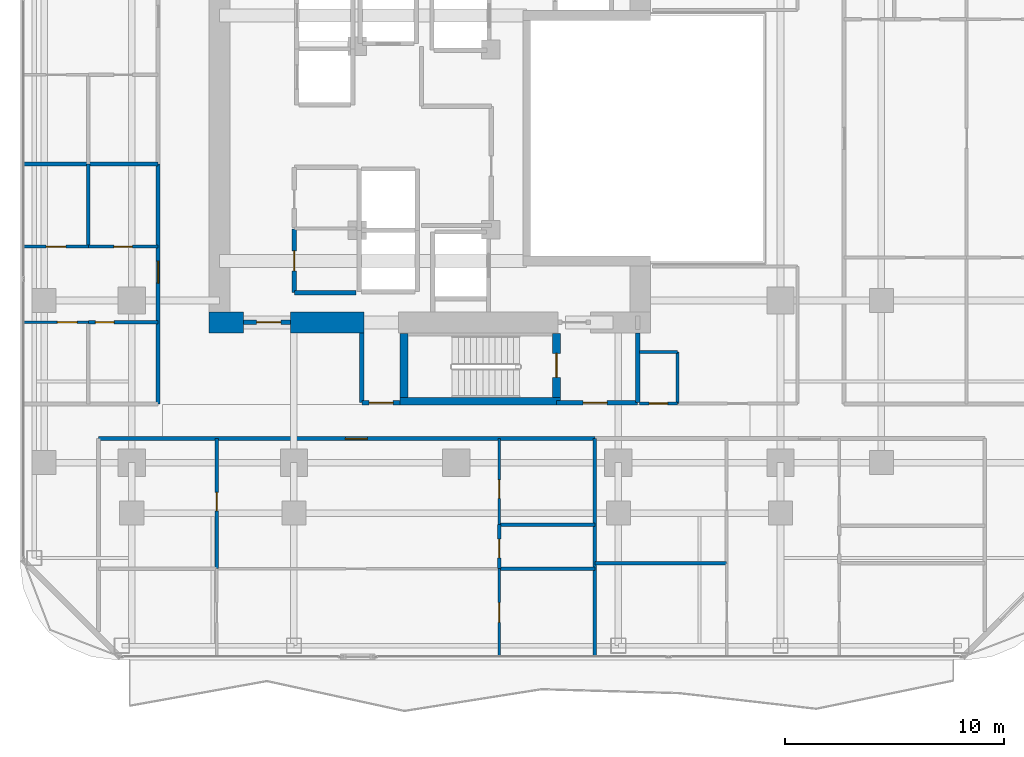
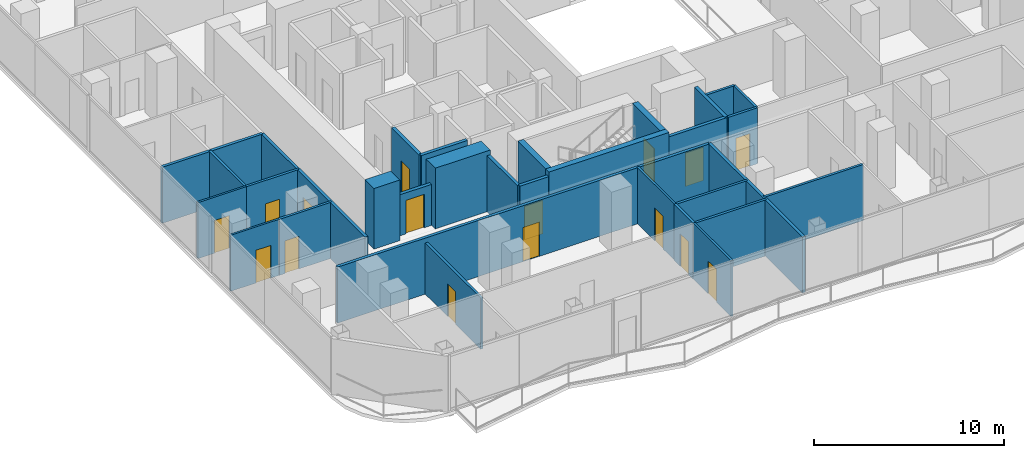
# One storey, part 20 of 27: 31 walls, 16 doors, 16 openings.
"""IFC4 building model written with IfcOpenShell, lengths in metres."""

from ifc_helpers import new_model, si_unit, direction, frame, frame_2d, origin, place, context, subcontext, project, spatial, rectangle, extrude, material, layer, layer_set, type_object, element, fill, save


model = new_model("IFC4")

# Units and contexts
model_context = context("Model", 3, precision=1e-05, world=origin(), true_north=direction((0.0, 1.0)))
body_context = subcontext(model_context, "Body", "Model", "MODEL_VIEW")
ifc_project = project(units=[si_unit("LENGTHUNIT", "METRE"), si_unit("AREAUNIT", "SQUARE_METRE"), si_unit("VOLUMEUNIT", "CUBIC_METRE"), si_unit("PLANEANGLEUNIT", "RADIAN"), si_unit("MASSUNIT", "GRAM", prefix="KILO")], contexts=[model_context])

# Site, building, storey
site_placement = place(None, origin())
site = spatial("IfcSite", under=ifc_project, at=site_placement, CompositionType="ELEMENT")
building_placement = place(site_placement, origin())
building = spatial("IfcBuilding", under=site, at=building_placement, Name="Khorvyn Point Tower", CompositionType="ELEMENT")
storey_placement = place(building_placement, frame((0.0, 0.0, 152.39990234375)))
storey = spatial("IfcBuildingStorey", under=building, at=storey_placement, Name="L38", CompositionType="ELEMENT", Elevation=152.39990234375)

# Wall, opening, door
ifc_material_1 = material(Name="Double acoustic gypsum on twin steel stud", Category="steel")
ifc_layer_1 = layer(ifc_material_1, 0.179931640625)
ifc_layer_set_1 = layer_set([ifc_layer_1], Name="Acoustic Double-Stud Apartment Demising Wall 180")
wall_type_1 = type_object("IfcWallType", Name="Acoustic Double-Stud Apartment Demising Wall 180", PredefinedType="PARTITIONING", material=ifc_layer_set_1)
wall_1_placement = place(storey_placement, frame((-16.320068359375, -13.699951171875, 0.0), z_axis=(0.0, 0.0, 1.0), x_axis=(1.0, 0.0, 0.0)))
wall_1 = element("IfcWall", 1, at=wall_1_placement, inside=storey, type_object=wall_type_1, Name="Wall", PredefinedType="PARTITIONING", context=body_context, shape_type="SweptSolid", body=[
    extrude(rectangle(XDim=22.64599609375, YDim=0.179931640625, at=frame_2d((11.322998046875, 0.0))), origin(), (0.0, 0.0, 1.0), 3.60009765625),
])
opening_1_placement = place(wall_1_placement, frame((11.27099609375, 0.0, 0.0)))
opening_1 = element("IfcOpeningElement", 2, at=opening_1_placement, cuts=wall_1, Name="Opening ID-AP60", PredefinedType="OPENING", context=body_context, shape_type="SweptSolid", body=[
    extrude(rectangle(XDim=1.0, YDim=2.199951171875, at=frame_2d((0.5, 1.10009765625))), frame((0.0, 0.099853515625, 0.0), z_axis=(0.0, -1.0, 0.0), x_axis=(1.0, 0.0, 0.0)), (0.0, 0.0, 1.0), 0.199951171875),
])
ifc_material_2 = material(Name="Engineered hardwood fire-rated leaf", Category="wood")
door_type_1 = type_object("IfcDoorType", Name="Acoustic Solid-Core Timber Apartment Entrance Door 1000x2200", OperationType="NOTDEFINED", PredefinedType="DOOR", material=ifc_material_2)
door_1_placement = place(opening_1_placement, origin())
door_1 = element("IfcDoor", 3, at=door_1_placement, inside=storey, type_object=door_type_1, Name="Door", OperationType="SINGLE_SWING_LEFT", OverallHeight=2.199951171875, OverallWidth=1.0, PredefinedType="DOOR", context=body_context, shape_type="SweptSolid", body=[
    extrude(rectangle(XDim=1.0, YDim=2.199951171875, at=frame_2d((0.5, 1.10009765625))), frame((0.0, 0.02490234375, 0.0), z_axis=(0.0, -1.0, 0.0), x_axis=(1.0, 0.0, 0.0)), (0.0, 0.0, 1.0), 0.050048828125),
])
fill(opening_1, door_1)

wall_2_placement = place(storey_placement, frame((-13.60009765625, -12.1201171875, 0.0), z_axis=(0.0, 0.0, 1.0), x_axis=(0.0, 1.0, 0.0)))
wall_2 = element("IfcWall", 4, at=wall_2_placement, inside=storey, type_object=wall_type_1, Name="Wall", PredefinedType="PARTITIONING", context=body_context, shape_type="SweptSolid", body=[
    extrude(rectangle(XDim=10.9560546875, YDim=0.179931640625, at=frame_2d((5.47802734375, 0.0))), origin(), (0.0, 0.0, 1.0), 3.60009765625),
])
opening_2_placement = place(wall_2_placement, frame((5.51318359375, 0.0, 0.0)))
opening_2 = element("IfcOpeningElement", 5, at=opening_2_placement, cuts=wall_2, Name="Opening ID-AP60", PredefinedType="OPENING", context=body_context, shape_type="SweptSolid", body=[
    extrude(rectangle(XDim=1.0, YDim=2.199951171875, at=frame_2d((0.5, 1.10009765625))), frame((0.0, 0.099853515625, 0.0), z_axis=(0.0, -1.0, 0.0), x_axis=(1.0, 0.0, 0.0)), (0.0, 0.0, 1.0), 0.199951171875),
])
door_2_placement = place(opening_2_placement, origin())
door_2 = element("IfcDoor", 6, at=door_2_placement, inside=storey, type_object=door_type_1, Name="Door", OperationType="SINGLE_SWING_RIGHT", OverallHeight=2.199951171875, OverallWidth=1.0, PredefinedType="DOOR", context=body_context, shape_type="SweptSolid", body=[
    extrude(rectangle(XDim=1.0, YDim=2.199951171875, at=frame_2d((0.5, 1.10009765625))), frame((0.0, 0.02490234375, 0.0), z_axis=(0.0, -1.0, 0.0), x_axis=(1.0, 0.0, 0.0)), (0.0, 0.0, 1.0), 0.050048828125),
])
fill(opening_2, door_2)

# Walls
wall_3_placement = place(storey_placement, frame((6.325927734375, -23.6298828125, 0.0), z_axis=(0.0, 0.0, 1.0), x_axis=(0.0, 1.0, 0.0)))
element("IfcWall", 7, at=wall_3_placement, inside=storey, type_object=wall_type_1, Name="Wall", PredefinedType="PARTITIONING", context=body_context, shape_type="SweptSolid", body=[
    extrude(rectangle(XDim=9.929931640625, YDim=0.179931640625, at=frame_2d((4.96484375, 0.0))), origin(), (0.0, 0.0, 1.0), 3.60009765625),
])
wall_4_placement = place(storey_placement, frame((-19.72998046875, -1.1640625, 0.0), z_axis=(0.0, 0.0, 1.0), x_axis=(1.0, 0.0, 0.0)))
element("IfcWall", 8, at=wall_4_placement, inside=storey, type_object=wall_type_1, Name="Wall", PredefinedType="PARTITIONING", context=body_context, shape_type="SweptSolid", body=[
    extrude(rectangle(XDim=6.1298828125, YDim=0.179931640625, at=frame_2d((3.06494140625, 0.0))), origin(), (0.0, 0.0, 1.0), 3.60009765625),
])

# Wall, opening, door
ifc_material_3 = material(Name="Concrete C40/50", Category="concrete")
ifc_layer_2 = layer(ifc_material_3, 0.199951171875)
ifc_layer_set_2 = layer_set([ifc_layer_2], Name="Concrete C40/50 Fire-Lobby Compartment Wall 200")
wall_type_2 = type_object("IfcWallType", Name="Concrete C40/50 Fire-Lobby Compartment Wall 200", PredefinedType="SOLIDWALL", material=ifc_layer_set_2)
wall_5_placement = place(storey_placement, frame((4.580078125, -12.06005859375, 0.0), z_axis=(0.0, 0.0, 1.0), x_axis=(1.0, 0.0, 0.0)))
wall_5 = element("IfcWall", 9, at=wall_5_placement, inside=storey, type_object=wall_type_2, Name="Wall", PredefinedType="SOLIDWALL", context=body_context, shape_type="SweptSolid", body=[
    extrude(rectangle(XDim=3.699951171875, YDim=0.199951171875, at=frame_2d((1.85009765625, 0.0))), origin(), (0.0, 0.0, 1.0), 3.60009765625),
])
opening_3_placement = place(wall_5_placement, frame((1.21240234375, 0.0, 0.0)))
opening_3 = element("IfcOpeningElement", 10, at=opening_3_placement, cuts=wall_5, Name="Opening ID-FL90", PredefinedType="OPENING", context=body_context, shape_type="SweptSolid", body=[
    extrude(rectangle(XDim=1.10009765625, YDim=2.14990234375, at=frame_2d((0.550048828125, 1.074951171875))), frame((0.0, 0.10986328125, 0.0), z_axis=(0.0, -1.0, 0.0), x_axis=(1.0, 0.0, 0.0)), (0.0, 0.0, 1.0), 0.219970703125),
])
ifc_material_4 = material(Name="Galvanised powder-coated steel", Category="steel")
door_type_2 = type_object("IfcDoorType", Name="Fire-Rated Steel Lobby and Stair Door 1100x2150", OperationType="NOTDEFINED", PredefinedType="DOOR", material=ifc_material_4)
door_3_placement = place(opening_3_placement, origin())
door_3 = element("IfcDoor", 11, at=door_3_placement, inside=storey, type_object=door_type_2, Name="Door", OperationType="SINGLE_SWING_LEFT", OverallHeight=2.14990234375, OverallWidth=1.10009765625, PredefinedType="DOOR", context=body_context, shape_type="SweptSolid", body=[
    extrude(rectangle(XDim=1.10009765625, YDim=2.14990234375, at=frame_2d((0.550048828125, 1.074951171875))), frame((0.0, 0.02490234375, 0.0), z_axis=(0.0, -1.0, 0.0), x_axis=(1.0, 0.0, 0.0)), (0.0, 0.0, 1.0), 0.050048828125),
])
fill(opening_3, door_3)

wall_6_placement = place(storey_placement, frame((-9.699951171875, -8.39990234375, 0.0), z_axis=(0.0, 0.0, 1.0), x_axis=(1.0, 0.0, 0.0)))
wall_6 = element("IfcWall", 12, at=wall_6_placement, inside=storey, type_object=wall_type_2, Name="Wall", PredefinedType="SOLIDWALL", context=body_context, shape_type="SweptSolid", body=[
    extrude(rectangle(XDim=2.14990234375, YDim=0.199951171875, at=frame_2d((1.074951171875, 0.0))), origin(), (0.0, 0.0, 1.0), 2.64013671875),
])
opening_4_placement = place(wall_6_placement, frame((0.597900390625, 0.0, 0.0)))
opening_4 = element("IfcOpeningElement", 13, at=opening_4_placement, cuts=wall_6, Name="Opening ID-FL90", PredefinedType="OPENING", context=body_context, shape_type="SweptSolid", body=[
    extrude(rectangle(XDim=1.10009765625, YDim=2.14990234375, at=frame_2d((0.550048828125, 1.074951171875))), frame((0.0, 0.10986328125, 0.0), z_axis=(0.0, -1.0, 0.0), x_axis=(1.0, 0.0, 0.0)), (0.0, 0.0, 1.0), 0.219970703125),
])
door_4_placement = place(opening_4_placement, origin())
door_4 = element("IfcDoor", 14, at=door_4_placement, inside=storey, type_object=door_type_2, Name="Door", OperationType="SINGLE_SWING_RIGHT", OverallHeight=2.14990234375, OverallWidth=1.10009765625, PredefinedType="DOOR", context=body_context, shape_type="SweptSolid", body=[
    extrude(rectangle(XDim=1.10009765625, YDim=2.14990234375, at=frame_2d((0.550048828125, 1.074951171875))), frame((0.0, 0.02490234375, 0.0), z_axis=(0.0, -1.0, 0.0), x_axis=(1.0, 0.0, 0.0)), (0.0, 0.0, 1.0), 0.050048828125),
])
fill(opening_4, door_4)

wall_7_placement = place(storey_placement, frame((-4.300048828125, -12.06005859375, 0.0), z_axis=(0.0, 0.0, 1.0), x_axis=(1.0, 0.0, 0.0)))
wall_7 = element("IfcWall", 15, at=wall_7_placement, inside=storey, type_object=wall_type_2, Name="Wall", PredefinedType="SOLIDWALL", context=body_context, shape_type="SweptSolid", body=[
    extrude(rectangle(XDim=1.75, YDim=0.199951171875, at=frame_2d((0.875, 0.0))), origin(), (0.0, 0.0, 1.0), 3.60009765625),
])
opening_5_placement = place(wall_7_placement, frame((0.324951171875, 0.0, 0.0)))
opening_5 = element("IfcOpeningElement", 16, at=opening_5_placement, cuts=wall_7, Name="Opening ID-FL90", PredefinedType="OPENING", context=body_context, shape_type="SweptSolid", body=[
    extrude(rectangle(XDim=1.10009765625, YDim=2.14990234375, at=frame_2d((0.550048828125, 1.074951171875))), frame((0.0, 0.10986328125, 0.0), z_axis=(0.0, -1.0, 0.0), x_axis=(1.0, 0.0, 0.0)), (0.0, 0.0, 1.0), 0.219970703125),
])
door_5_placement = place(opening_5_placement, origin())
door_5 = element("IfcDoor", 17, at=door_5_placement, inside=storey, type_object=door_type_2, Name="Door", OperationType="SINGLE_SWING_RIGHT", OverallHeight=2.14990234375, OverallWidth=1.10009765625, PredefinedType="DOOR", context=body_context, shape_type="SweptSolid", body=[
    extrude(rectangle(XDim=1.10009765625, YDim=2.14990234375, at=frame_2d((0.550048828125, 1.074951171875))), frame((0.0, 0.02490234375, 0.0), z_axis=(0.0, -1.0, 0.0), x_axis=(1.0, 0.0, 0.0)), (0.0, 0.0, 1.0), 0.050048828125),
])
fill(opening_5, door_5)

wall_8_placement = place(storey_placement, frame((-7.3798828125, -7.0400390625, 0.0), z_axis=(0.0, 0.0, 1.0), x_axis=(0.0, 1.0, 0.0)))
wall_8 = element("IfcWall", 18, at=wall_8_placement, inside=storey, type_object=wall_type_2, Name="Wall", PredefinedType="SOLIDWALL", context=body_context, shape_type="SweptSolid", body=[
    extrude(rectangle(XDim=2.900146484375, YDim=0.199951171875, at=frame_2d((1.4501953125, 0.0))), origin(), (0.0, 0.0, 1.0), 3.60009765625),
])
opening_6_placement = place(wall_8_placement, frame((0.989990234375, 0.0, 0.0)))
opening_6 = element("IfcOpeningElement", 19, at=opening_6_placement, cuts=wall_8, Name="Opening ID-RS60", PredefinedType="OPENING", context=body_context, shape_type="SweptSolid", body=[
    extrude(rectangle(XDim=0.919921875, YDim=2.10009765625, at=frame_2d((0.4599609375, 1.050048828125))), frame((0.0, 0.10986328125, 0.0), z_axis=(0.0, -1.0, 0.0), x_axis=(1.0, 0.0, 0.0)), (0.0, 0.0, 1.0), 0.219970703125),
])
door_type_3 = type_object("IfcDoorType", Name="Fire-Rated Riser and Store Steel Door 920x2100", OperationType="NOTDEFINED", PredefinedType="DOOR", material=ifc_material_4)
door_6_placement = place(opening_6_placement, origin())
door_6 = element("IfcDoor", 20, at=door_6_placement, inside=storey, type_object=door_type_3, Name="Door", OperationType="SINGLE_SWING_RIGHT", OverallHeight=2.10009765625, OverallWidth=0.919921875, PredefinedType="DOOR", context=body_context, shape_type="SweptSolid", body=[
    extrude(rectangle(XDim=0.919921875, YDim=2.10009765625, at=frame_2d((0.4599609375, 1.050048828125))), frame((0.0, 0.02490234375, 0.0), z_axis=(0.0, -1.0, 0.0), x_axis=(1.0, 0.0, 0.0)), (0.0, 0.0, 1.0), 0.050048828125),
])
fill(opening_6, door_6)

# Walls
for number, where, z_axis, x_axis, name in (
    (21, (8.280029296875, -12.06005859375, 0.0), (0.0, 0.0, 1.0), (0.0, 1.0, 0.0), "Wall"),
    (22, (-4.300048828125, -12.06005859375, 0.0), (0.0, 0.0, 1.0), (0.0, 1.0, 0.0), "Wall"),
):
    element("IfcWall", number, at=place(storey_placement, frame(where, z_axis=z_axis, x_axis=x_axis)), inside=storey, type_object=wall_type_2, Name=name, PredefinedType="SOLIDWALL", context=body_context, shape_type="SweptSolid", body=[
        extrude(rectangle(XDim=3.18505859375, YDim=0.199951171875, at=frame_2d((1.592529296875, 0.0))), origin(), (0.0, 0.0, 1.0), 3.60009765625),
    ])
wall_9_placement = place(storey_placement, frame((-7.3798828125, -7.0400390625, 0.0), z_axis=(0.0, 0.0, 1.0), x_axis=(1.0, 0.0, 0.0)))
element("IfcWall", 23, at=wall_9_placement, inside=storey, type_object=wall_type_2, Name="Wall", PredefinedType="SOLIDWALL", context=body_context, shape_type="SweptSolid", body=[
    extrude(rectangle(XDim=2.7998046875, YDim=0.199951171875, at=frame_2d((1.39990234375, 0.0))), origin(), (0.0, 0.0, 1.0), 3.60009765625),
])
ifc_layer_3 = layer(ifc_material_3, 0.35009765625)
ifc_layer_set_3 = layer_set([ifc_layer_3], Name="Concrete C40/50 Stair Shaft Structural Wall 350")
wall_type_3 = type_object("IfcWallType", Name="Concrete C40/50 Stair Shaft Structural Wall 350", PredefinedType="SHEAR", material=ifc_layer_set_3)
wall_10_placement = place(storey_placement, frame((-2.554931640625, -12.0, 0.0), z_axis=(0.0, 0.0, 1.0), x_axis=(1.0, 0.0, 0.0)))
element("IfcWall", 24, at=wall_10_placement, inside=storey, type_object=wall_type_3, Name="L38 ST-01 South Shaft Wall", PredefinedType="SHEAR", context=body_context, shape_type="SweptSolid", body=[
    extrude(rectangle(XDim=7.309814453125, YDim=0.35009765625, at=frame_2d((3.65478515625, 0.0))), origin(), (0.0, 0.0, 1.0), 3.900146484375),
])
wall_11_placement = place(storey_placement, frame((-2.3798828125, -11.824951171875, 0.0), z_axis=(0.0, 0.0, 1.0), x_axis=(0.0, 1.0, 0.0)))
element("IfcWall", 25, at=wall_11_placement, inside=storey, type_object=wall_type_3, Name="L38 ST-01 West Shaft Wall", PredefinedType="SHEAR", context=body_context, shape_type="SweptSolid", body=[
    extrude(rectangle(XDim=2.925048828125, YDim=0.35009765625, at=frame_2d((1.46240234375, 0.0))), origin(), (0.0, 0.0, 1.0), 3.900146484375),
])

# Wall, opening, door
wall_12_placement = place(storey_placement, frame((4.580078125, -8.89990234375, 0.0), z_axis=(0.0, 0.0, 1.0), x_axis=(0.0, -1.0, 0.0)))
wall_12 = element("IfcWall", 26, at=wall_12_placement, inside=storey, type_object=wall_type_3, Name="L38 ST-01 East Landing Door Wall", PredefinedType="SHEAR", context=body_context, shape_type="SweptSolid", body=[
    extrude(rectangle(XDim=2.925048828125, YDim=0.35009765625, at=frame_2d((1.46240234375, 0.0))), origin(), (0.0, 0.0, 1.0), 3.900146484375),
])
opening_7_placement = place(wall_12_placement, frame((0.91259765625, 0.0, 0.0)))
opening_7 = element("IfcOpeningElement", 27, at=opening_7_placement, cuts=wall_12, Name="Opening ID-FL90", PredefinedType="OPENING", context=body_context, shape_type="SweptSolid", body=[
    extrude(rectangle(XDim=1.10009765625, YDim=2.14990234375, at=frame_2d((0.550048828125, 1.074951171875))), frame((0.0, 0.18505859375, 0.0), z_axis=(0.0, -1.0, 0.0), x_axis=(1.0, 0.0, 0.0)), (0.0, 0.0, 1.0), 0.3701171875),
])
door_7_placement = place(opening_7_placement, origin())
door_7 = element("IfcDoor", 28, at=door_7_placement, inside=storey, type_object=door_type_2, Name="L38 ST-01 Smokeproof Landing Door", OperationType="SINGLE_SWING_RIGHT", OverallHeight=2.14990234375, OverallWidth=1.10009765625, PredefinedType="DOOR", context=body_context, shape_type="SweptSolid", body=[
    extrude(rectangle(XDim=1.10009765625, YDim=2.14990234375, at=frame_2d((0.550048828125, 1.074951171875))), frame((0.0, 0.02490234375, 0.0), z_axis=(0.0, -1.0, 0.0), x_axis=(1.0, 0.0, 0.0)), (0.0, 0.0, 1.0), 0.050048828125),
])
fill(opening_7, door_7)

# Walls
ifc_material_5 = material(Name="Concrete C50/60", Category="concrete")
ifc_layer_4 = layer(ifc_material_5, 0.949951171875)
ifc_layer_set_4 = layer_set([ifc_layer_4], Name="Concrete C50/60 Core Shear Wall 950")
wall_type_4 = type_object("IfcWallType", Name="Concrete C50/60 Core Shear Wall 950", PredefinedType="SHEAR", material=ifc_layer_set_4)
wall_13_placement = place(storey_placement, frame((-11.27490234375, -8.39990234375, 0.0), z_axis=(0.0, 0.0, 1.0), x_axis=(1.0, 0.0, 0.0)))
element("IfcWall", 29, at=wall_13_placement, inside=storey, type_object=wall_type_4, Name="Wall", PredefinedType="SHEAR", context=body_context, shape_type="SweptSolid", body=[
    extrude(rectangle(XDim=1.574951171875, YDim=0.949951171875, at=frame_2d((0.78759765625, 0.0))), origin(), (0.0, 0.0, 1.0), 3.900146484375),
])
wall_14_placement = place(storey_placement, frame((-7.550048828125, -8.39990234375, 0.0), z_axis=(0.0, 0.0, 1.0), x_axis=(1.0, 0.0, 0.0)))
element("IfcWall", 30, at=wall_14_placement, inside=storey, type_object=wall_type_4, Name="Wall", PredefinedType="SHEAR", context=body_context, shape_type="SweptSolid", body=[
    extrude(rectangle(XDim=3.35009765625, YDim=0.949951171875, at=frame_2d((1.675048828125, 0.0))), origin(), (0.0, 0.0, 1.0), 3.900146484375),
])

# Wall, opening, door
ifc_material_6 = material(Name="Gypsum plasterboard on steel stud", Category="steel")
ifc_layer_5 = layer(ifc_material_6, 0.1201171875)
ifc_layer_set_5 = layer_set([ifc_layer_5], Name="Gypsum Acoustic Stud Room Partition Wall 120")
wall_type_5 = type_object("IfcWallType", Name="Gypsum Acoustic Stud Room Partition Wall 120", PredefinedType="PARTITIONING", material=ifc_layer_set_5)
wall_15_placement = place(storey_placement, frame((1.964111328125, -17.6279296875, 0.0), z_axis=(0.0, 0.0, 1.0), x_axis=(0.0, 1.0, 0.0)))
wall_15 = element("IfcWall", 31, at=wall_15_placement, inside=storey, type_object=wall_type_5, Name="Wall", PredefinedType="PARTITIONING", context=body_context, shape_type="SweptSolid", body=[
    extrude(rectangle(XDim=3.927978515625, YDim=0.1201171875, at=frame_2d((1.9638671875, 0.0))), origin(), (0.0, 0.0, 1.0), 3.60009765625),
])
opening_8_placement = place(wall_15_placement, frame((1.1943359375, 0.0, 0.0)))
opening_8 = element("IfcOpeningElement", 32, at=opening_8_placement, cuts=wall_15, Name="Opening ID-WC85", PredefinedType="OPENING", context=body_context, shape_type="SweptSolid", body=[
    extrude(rectangle(XDim=0.85009765625, YDim=2.10009765625, at=frame_2d((0.425048828125, 1.050048828125))), frame((0.0, 0.070068359375, 0.0), z_axis=(0.0, -1.0, 0.0), x_axis=(1.0, 0.0, 0.0)), (0.0, 0.0, 1.0), 0.14013671875),
])
ifc_material_7 = material(Name="High-pressure laminate on moisture-resistant core", Category="wood")
door_type_4 = type_object("IfcDoorType", Name="Moisture-Resistant Accessible Washroom Door 850x2100", OperationType="NOTDEFINED", PredefinedType="DOOR", material=ifc_material_7)
door_8_placement = place(opening_8_placement, origin())
door_8 = element("IfcDoor", 33, at=door_8_placement, inside=storey, type_object=door_type_4, Name="Door", OperationType="SINGLE_SWING_RIGHT", OverallHeight=2.10009765625, OverallWidth=0.85009765625, PredefinedType="DOOR", context=body_context, shape_type="SweptSolid", body=[
    extrude(rectangle(XDim=0.85009765625, YDim=2.10009765625, at=frame_2d((0.425048828125, 1.050048828125))), frame((0.0, 0.02490234375, 0.0), z_axis=(0.0, -1.0, 0.0), x_axis=(1.0, 0.0, 0.0)), (0.0, 0.0, 1.0), 0.050048828125),
])
fill(opening_8, door_8)

wall_16_placement = place(storey_placement, frame((1.964111328125, -23.6298828125, 0.0), z_axis=(0.0, 0.0, 1.0), x_axis=(0.0, 1.0, 0.0)))
wall_16 = element("IfcWall", 34, at=wall_16_placement, inside=storey, type_object=wall_type_5, Name="Wall", PredefinedType="PARTITIONING", context=body_context, shape_type="SweptSolid", body=[
    extrude(rectangle(XDim=3.995849609375, YDim=0.1201171875, at=frame_2d((1.998046875, 0.0))), origin(), (0.0, 0.0, 1.0), 3.60009765625),
])
opening_9_placement = place(wall_16_placement, frame((1.548095703125, 0.0, 0.0)))
opening_9 = element("IfcOpeningElement", 35, at=opening_9_placement, cuts=wall_16, Name="Opening ID-RM90", PredefinedType="OPENING", context=body_context, shape_type="SweptSolid", body=[
    extrude(rectangle(XDim=0.89990234375, YDim=2.10009765625, at=frame_2d((0.449951171875, 1.050048828125))), frame((0.0, 0.070068359375, 0.0), z_axis=(0.0, -1.0, 0.0), x_axis=(1.0, 0.0, 0.0)), (0.0, 0.0, 1.0), 0.14013671875),
])
ifc_material_8 = material(Name="Engineered oak veneer timber", Category="wood")
door_type_5 = type_object("IfcDoorType", Name="Flush Engineered Timber Room Door 900x2100", OperationType="NOTDEFINED", PredefinedType="DOOR", material=ifc_material_8)
door_9_placement = place(opening_9_placement, origin())
door_9 = element("IfcDoor", 36, at=door_9_placement, inside=storey, type_object=door_type_5, Name="Door", OperationType="SINGLE_SWING_LEFT", OverallHeight=2.10009765625, OverallWidth=0.89990234375, PredefinedType="DOOR", context=body_context, shape_type="SweptSolid", body=[
    extrude(rectangle(XDim=0.89990234375, YDim=2.10009765625, at=frame_2d((0.449951171875, 1.050048828125))), frame((0.0, 0.02490234375, 0.0), z_axis=(0.0, -1.0, 0.0), x_axis=(1.0, 0.0, 0.0)), (0.0, 0.0, 1.0), 0.050048828125),
])
fill(opening_9, door_9)

wall_17_placement = place(storey_placement, frame((-19.72998046875, -8.39404296875, 0.0), z_axis=(0.0, 0.0, 1.0), x_axis=(1.0, 0.0, 0.0)))
wall_17 = element("IfcWall", 37, at=wall_17_placement, inside=storey, type_object=wall_type_5, Name="Wall", PredefinedType="PARTITIONING", context=body_context, shape_type="SweptSolid", body=[
    extrude(rectangle(XDim=2.946044921875, YDim=0.1201171875, at=frame_2d((1.47314453125, 0.0))), origin(), (0.0, 0.0, 1.0), 3.60009765625),
])
opening_10_placement = place(wall_17_placement, frame((1.540771484375, 0.0, 0.0)))
opening_10 = element("IfcOpeningElement", 38, at=opening_10_placement, cuts=wall_17, Name="Opening ID-RM90", PredefinedType="OPENING", context=body_context, shape_type="SweptSolid", body=[
    extrude(rectangle(XDim=0.89990234375, YDim=2.10009765625, at=frame_2d((0.449951171875, 1.050048828125))), frame((0.0, 0.070068359375, 0.0), z_axis=(0.0, -1.0, 0.0), x_axis=(1.0, 0.0, 0.0)), (0.0, 0.0, 1.0), 0.14013671875),
])
door_10_placement = place(opening_10_placement, origin())
door_10 = element("IfcDoor", 39, at=door_10_placement, inside=storey, type_object=door_type_5, Name="Door", OperationType="SINGLE_SWING_LEFT", OverallHeight=2.10009765625, OverallWidth=0.89990234375, PredefinedType="DOOR", context=body_context, shape_type="SweptSolid", body=[
    extrude(rectangle(XDim=0.89990234375, YDim=2.10009765625, at=frame_2d((0.449951171875, 1.050048828125))), frame((0.0, 0.02490234375, 0.0), z_axis=(0.0, -1.0, 0.0), x_axis=(1.0, 0.0, 0.0)), (0.0, 0.0, 1.0), 0.050048828125),
])
fill(opening_10, door_10)

wall_18_placement = place(storey_placement, frame((-19.72998046875, -4.93896484375, 0.0), z_axis=(0.0, 0.0, 1.0), x_axis=(1.0, 0.0, 0.0)))
wall_18 = element("IfcWall", 40, at=wall_18_placement, inside=storey, type_object=wall_type_5, Name="Wall", PredefinedType="PARTITIONING", context=body_context, shape_type="SweptSolid", body=[
    extrude(rectangle(XDim=2.946044921875, YDim=0.1201171875, at=frame_2d((1.47314453125, 0.0))), origin(), (0.0, 0.0, 1.0), 3.60009765625),
])
opening_11_placement = place(wall_18_placement, frame((1.02294921875, 0.0, 0.0)))
opening_11 = element("IfcOpeningElement", 41, at=opening_11_placement, cuts=wall_18, Name="Opening ID-RM90", PredefinedType="OPENING", context=body_context, shape_type="SweptSolid", body=[
    extrude(rectangle(XDim=0.89990234375, YDim=2.10009765625, at=frame_2d((0.449951171875, 1.050048828125))), frame((0.0, 0.070068359375, 0.0), z_axis=(0.0, -1.0, 0.0), x_axis=(1.0, 0.0, 0.0)), (0.0, 0.0, 1.0), 0.14013671875),
])
door_11_placement = place(opening_11_placement, origin())
door_11 = element("IfcDoor", 42, at=door_11_placement, inside=storey, type_object=door_type_5, Name="Door", OperationType="SINGLE_SWING_RIGHT", OverallHeight=2.10009765625, OverallWidth=0.89990234375, PredefinedType="DOOR", context=body_context, shape_type="SweptSolid", body=[
    extrude(rectangle(XDim=0.89990234375, YDim=2.10009765625, at=frame_2d((0.449951171875, 1.050048828125))), frame((0.0, 0.02490234375, 0.0), z_axis=(0.0, -1.0, 0.0), x_axis=(1.0, 0.0, 0.0)), (0.0, 0.0, 1.0), 0.050048828125),
])
fill(opening_11, door_11)

ifc_material_9 = material(Name="Moisture-resistant gypsum and cement board", Category="gypsum")
ifc_layer_6 = layer(ifc_material_9, 0.14990234375)
ifc_layer_set_6 = layer_set([ifc_layer_6], Name="Moisture-Resistant Wet-Room Partition Wall 150")
wall_type_6 = type_object("IfcWallType", Name="Moisture-Resistant Wet-Room Partition Wall 150", PredefinedType="PARTITIONING", material=ifc_layer_set_6)
wall_19_placement = place(storey_placement, frame((8.360107421875, -12.10009765625, 0.0), z_axis=(0.0, 0.0, 1.0), x_axis=(1.0, 0.0, 0.0)))
wall_19 = element("IfcWall", 43, at=wall_19_placement, inside=storey, type_object=wall_type_6, Name="Wall", PredefinedType="PARTITIONING", context=body_context, shape_type="SweptSolid", body=[
    extrude(rectangle(XDim=1.739990234375, YDim=0.14990234375, at=frame_2d((0.8701171875, 0.0))), origin(), (0.0, 0.0, 1.0), 3.60009765625),
])
opening_12_placement = place(wall_19_placement, frame((0.445068359375, 0.0, 0.0)))
opening_12 = element("IfcOpeningElement", 44, at=opening_12_placement, cuts=wall_19, Name="Opening ID-WC85", PredefinedType="OPENING", context=body_context, shape_type="SweptSolid", body=[
    extrude(rectangle(XDim=0.85009765625, YDim=2.10009765625, at=frame_2d((0.425048828125, 1.050048828125))), frame((0.0, 0.0849609375, 0.0), z_axis=(0.0, -1.0, 0.0), x_axis=(1.0, 0.0, 0.0)), (0.0, 0.0, 1.0), 0.169921875),
])
door_12_placement = place(opening_12_placement, origin())
door_12 = element("IfcDoor", 45, at=door_12_placement, inside=storey, type_object=door_type_4, Name="Door", OperationType="SINGLE_SWING_RIGHT", OverallHeight=2.10009765625, OverallWidth=0.85009765625, PredefinedType="DOOR", context=body_context, shape_type="SweptSolid", body=[
    extrude(rectangle(XDim=0.85009765625, YDim=2.10009765625, at=frame_2d((0.425048828125, 1.050048828125))), frame((0.0, 0.02490234375, 0.0), z_axis=(0.0, -1.0, 0.0), x_axis=(1.0, 0.0, 0.0)), (0.0, 0.0, 1.0), 0.050048828125),
])
fill(opening_12, door_12)

wall_20_placement = place(storey_placement, frame((-10.926025390625, -19.634033203125, 0.0), z_axis=(0.0, 0.0, 1.0), x_axis=(0.0, 1.0, 0.0)))
wall_20 = element("IfcWall", 46, at=wall_20_placement, inside=storey, type_object=wall_type_6, Name="Wall", PredefinedType="PARTITIONING", context=body_context, shape_type="SweptSolid", body=[
    extrude(rectangle(XDim=5.93408203125, YDim=0.14990234375, at=frame_2d((2.967041015625, 0.0))), origin(), (0.0, 0.0, 1.0), 3.2900390625),
])
opening_13_placement = place(wall_20_placement, frame((2.630126953125, 0.0, 0.0)))
opening_13 = element("IfcOpeningElement", 47, at=opening_13_placement, cuts=wall_20, Name="Opening ID-WC85", PredefinedType="OPENING", context=body_context, shape_type="SweptSolid", body=[
    extrude(rectangle(XDim=0.85009765625, YDim=2.10009765625, at=frame_2d((0.425048828125, 1.050048828125))), frame((0.0, 0.0849609375, 0.0), z_axis=(0.0, -1.0, 0.0), x_axis=(1.0, 0.0, 0.0)), (0.0, 0.0, 1.0), 0.169921875),
])
door_13_placement = place(opening_13_placement, origin())
door_13 = element("IfcDoor", 48, at=door_13_placement, inside=storey, type_object=door_type_4, Name="Door", OperationType="SINGLE_SWING_LEFT", OverallHeight=2.10009765625, OverallWidth=0.85009765625, PredefinedType="DOOR", context=body_context, shape_type="SweptSolid", body=[
    extrude(rectangle(XDim=0.85009765625, YDim=2.10009765625, at=frame_2d((0.425048828125, 1.050048828125))), frame((0.0, 0.02490234375, 0.0), z_axis=(0.0, -1.0, 0.0), x_axis=(1.0, 0.0, 0.0)), (0.0, 0.0, 1.0), 0.050048828125),
])
fill(opening_13, door_13)

wall_21_placement = place(storey_placement, frame((1.964111328125, -19.634033203125, 0.0), z_axis=(0.0, 0.0, 1.0), x_axis=(0.0, 1.0, 0.0)))
wall_21 = element("IfcWall", 49, at=wall_21_placement, inside=storey, type_object=wall_type_6, Name="Wall", PredefinedType="PARTITIONING", context=body_context, shape_type="SweptSolid", body=[
    extrude(rectangle(XDim=2.006103515625, YDim=0.14990234375, at=frame_2d((1.0029296875, 0.0))), origin(), (0.0, 0.0, 1.0), 3.60009765625),
])
opening_14_placement = place(wall_21_placement, frame((0.494384765625, 0.0, 0.0)))
opening_14 = element("IfcOpeningElement", 50, at=opening_14_placement, cuts=wall_21, Name="Opening ID-WC85", PredefinedType="OPENING", context=body_context, shape_type="SweptSolid", body=[
    extrude(rectangle(XDim=0.85009765625, YDim=2.10009765625, at=frame_2d((0.425048828125, 1.050048828125))), frame((0.0, 0.0849609375, 0.0), z_axis=(0.0, -1.0, 0.0), x_axis=(1.0, 0.0, 0.0)), (0.0, 0.0, 1.0), 0.169921875),
])
door_14_placement = place(opening_14_placement, origin())
door_14 = element("IfcDoor", 51, at=door_14_placement, inside=storey, type_object=door_type_4, Name="Door", OperationType="SINGLE_SWING_LEFT", OverallHeight=2.10009765625, OverallWidth=0.85009765625, PredefinedType="DOOR", context=body_context, shape_type="SweptSolid", body=[
    extrude(rectangle(XDim=0.85009765625, YDim=2.10009765625, at=frame_2d((0.425048828125, 1.050048828125))), frame((0.0, 0.02490234375, 0.0), z_axis=(0.0, -1.0, 0.0), x_axis=(1.0, 0.0, 0.0)), (0.0, 0.0, 1.0), 0.050048828125),
])
fill(opening_14, door_14)

wall_22_placement = place(storey_placement, frame((-16.783935546875, -4.93896484375, 0.0), z_axis=(0.0, 0.0, 1.0), x_axis=(1.0, 0.0, 0.0)))
wall_22 = element("IfcWall", 52, at=wall_22_placement, inside=storey, type_object=wall_type_6, Name="Wall", PredefinedType="PARTITIONING", context=body_context, shape_type="SweptSolid", body=[
    extrude(rectangle(XDim=3.183837890625, YDim=0.14990234375, at=frame_2d((1.591796875, 0.0))), origin(), (0.0, 0.0, 1.0), 3.60009765625),
])
opening_15_placement = place(wall_22_placement, frame((1.1669921875, 0.0, 0.0)))
opening_15 = element("IfcOpeningElement", 53, at=opening_15_placement, cuts=wall_22, Name="Opening ID-WC85", PredefinedType="OPENING", context=body_context, shape_type="SweptSolid", body=[
    extrude(rectangle(XDim=0.85009765625, YDim=2.10009765625, at=frame_2d((0.425048828125, 1.050048828125))), frame((0.0, 0.0849609375, 0.0), z_axis=(0.0, -1.0, 0.0), x_axis=(1.0, 0.0, 0.0)), (0.0, 0.0, 1.0), 0.169921875),
])
door_15_placement = place(opening_15_placement, origin())
door_15 = element("IfcDoor", 54, at=door_15_placement, inside=storey, type_object=door_type_4, Name="Door", OperationType="SINGLE_SWING_LEFT", OverallHeight=2.10009765625, OverallWidth=0.85009765625, PredefinedType="DOOR", context=body_context, shape_type="SweptSolid", body=[
    extrude(rectangle(XDim=0.85009765625, YDim=2.10009765625, at=frame_2d((0.425048828125, 1.050048828125))), frame((0.0, 0.02490234375, 0.0), z_axis=(0.0, -1.0, 0.0), x_axis=(1.0, 0.0, 0.0)), (0.0, 0.0, 1.0), 0.050048828125),
])
fill(opening_15, door_15)

wall_23_placement = place(storey_placement, frame((-16.783935546875, -8.39404296875, 0.0), z_axis=(0.0, 0.0, 1.0), x_axis=(1.0, 0.0, 0.0)))
wall_23 = element("IfcWall", 55, at=wall_23_placement, inside=storey, type_object=wall_type_6, Name="Wall", PredefinedType="PARTITIONING", context=body_context, shape_type="SweptSolid", body=[
    extrude(rectangle(XDim=3.183837890625, YDim=0.14990234375, at=frame_2d((1.591796875, 0.0))), origin(), (0.0, 0.0, 1.0), 3.60009765625),
])
opening_16_placement = place(wall_23_placement, frame((0.327880859375, 0.0, 0.0)))
opening_16 = element("IfcOpeningElement", 56, at=opening_16_placement, cuts=wall_23, Name="Opening ID-WC85", PredefinedType="OPENING", context=body_context, shape_type="SweptSolid", body=[
    extrude(rectangle(XDim=0.85009765625, YDim=2.10009765625, at=frame_2d((0.425048828125, 1.050048828125))), frame((0.0, 0.0849609375, 0.0), z_axis=(0.0, -1.0, 0.0), x_axis=(1.0, 0.0, 0.0)), (0.0, 0.0, 1.0), 0.169921875),
])
door_16_placement = place(opening_16_placement, origin())
door_16 = element("IfcDoor", 57, at=door_16_placement, inside=storey, type_object=door_type_4, Name="Door", OperationType="SINGLE_SWING_RIGHT", OverallHeight=2.10009765625, OverallWidth=0.85009765625, PredefinedType="DOOR", context=body_context, shape_type="SweptSolid", body=[
    extrude(rectangle(XDim=0.85009765625, YDim=2.10009765625, at=frame_2d((0.425048828125, 1.050048828125))), frame((0.0, 0.02490234375, 0.0), z_axis=(0.0, -1.0, 0.0), x_axis=(1.0, 0.0, 0.0)), (0.0, 0.0, 1.0), 0.050048828125),
])
fill(opening_16, door_16)

# Walls
wall_24_placement = place(storey_placement, frame((8.360107421875, -9.75, 0.0), z_axis=(0.0, 0.0, 1.0), x_axis=(1.0, 0.0, 0.0)))
element("IfcWall", 58, at=wall_24_placement, inside=storey, type_object=wall_type_6, Name="Wall", PredefinedType="PARTITIONING", context=body_context, shape_type="SweptSolid", body=[
    extrude(rectangle(XDim=1.739990234375, YDim=0.14990234375, at=frame_2d((0.8701171875, 0.0))), origin(), (0.0, 0.0, 1.0), 3.60009765625),
])
wall_25_placement = place(storey_placement, frame((10.10009765625, -12.10009765625, 0.0), z_axis=(0.0, 0.0, 1.0), x_axis=(0.0, 1.0, 0.0)))
element("IfcWall", 59, at=wall_25_placement, inside=storey, type_object=wall_type_6, Name="Wall", PredefinedType="PARTITIONING", context=body_context, shape_type="SweptSolid", body=[
    extrude(rectangle(XDim=2.35009765625, YDim=0.14990234375, at=frame_2d((1.175048828125, 0.0))), origin(), (0.0, 0.0, 1.0), 3.60009765625),
])
for number, where, z_axis, x_axis, name in (
    (60, (1.964111328125, -17.6279296875, 0.0), (0.0, 0.0, 1.0), (1.0, 0.0, 0.0), "Wall"),
    (61, (1.964111328125, -19.634033203125, 0.0), (0.0, 0.0, 1.0), (1.0, 0.0, 0.0), "Wall"),
):
    element("IfcWall", number, at=place(storey_placement, frame(where, z_axis=z_axis, x_axis=x_axis)), inside=storey, type_object=wall_type_6, Name=name, PredefinedType="PARTITIONING", context=body_context, shape_type="SweptSolid", body=[
        extrude(rectangle(XDim=4.36181640625, YDim=0.14990234375, at=frame_2d((2.180908203125, 0.0))), origin(), (0.0, 0.0, 1.0), 3.60009765625),
    ])
wall_26_placement = place(storey_placement, frame((6.325927734375, -19.389892578125, 0.0), z_axis=(0.0, 0.0, 1.0), x_axis=(1.0, 0.0, 0.0)))
element("IfcWall", 62, at=wall_26_placement, inside=storey, type_object=wall_type_6, Name="Wall", PredefinedType="PARTITIONING", context=body_context, shape_type="SweptSolid", body=[
    extrude(rectangle(XDim=6.01416015625, YDim=0.14990234375, at=frame_2d((3.007080078125, 0.0))), origin(), (0.0, 0.0, 1.0), 3.60009765625),
])
wall_27_placement = place(storey_placement, frame((-16.783935546875, -4.93896484375, 0.0), z_axis=(0.0, 0.0, 1.0), x_axis=(0.0, 1.0, 0.0)))
element("IfcWall", 63, at=wall_27_placement, inside=storey, type_object=wall_type_6, Name="Wall", PredefinedType="PARTITIONING", context=body_context, shape_type="SweptSolid", body=[
    extrude(rectangle(XDim=3.77490234375, YDim=0.14990234375, at=frame_2d((1.887451171875, 0.0))), origin(), (0.0, 0.0, 1.0), 3.60009765625),
])

save(model, "model.ifc")
